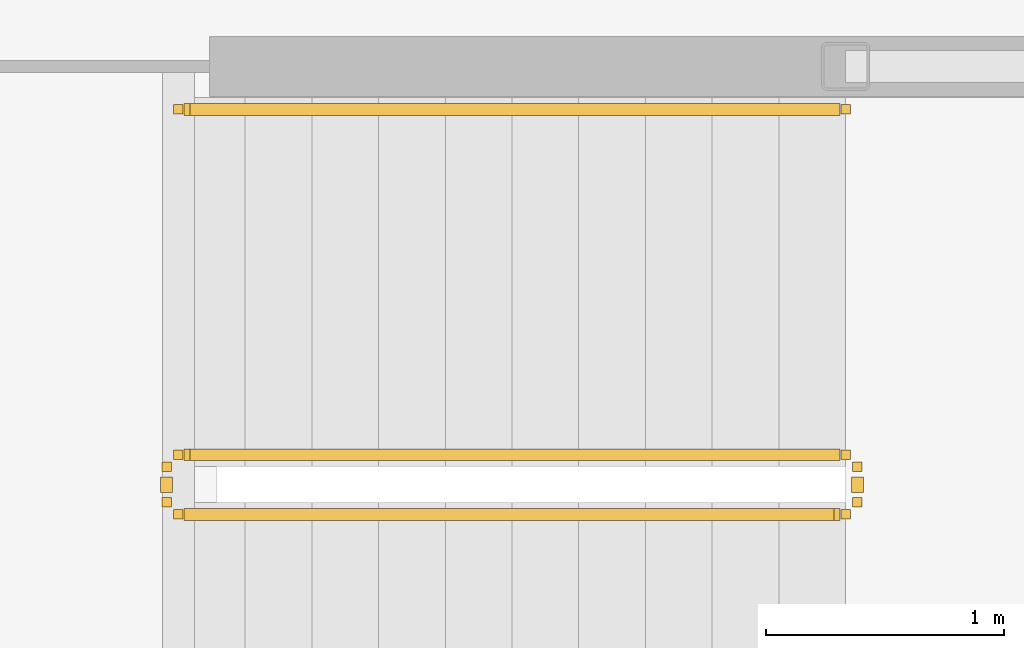
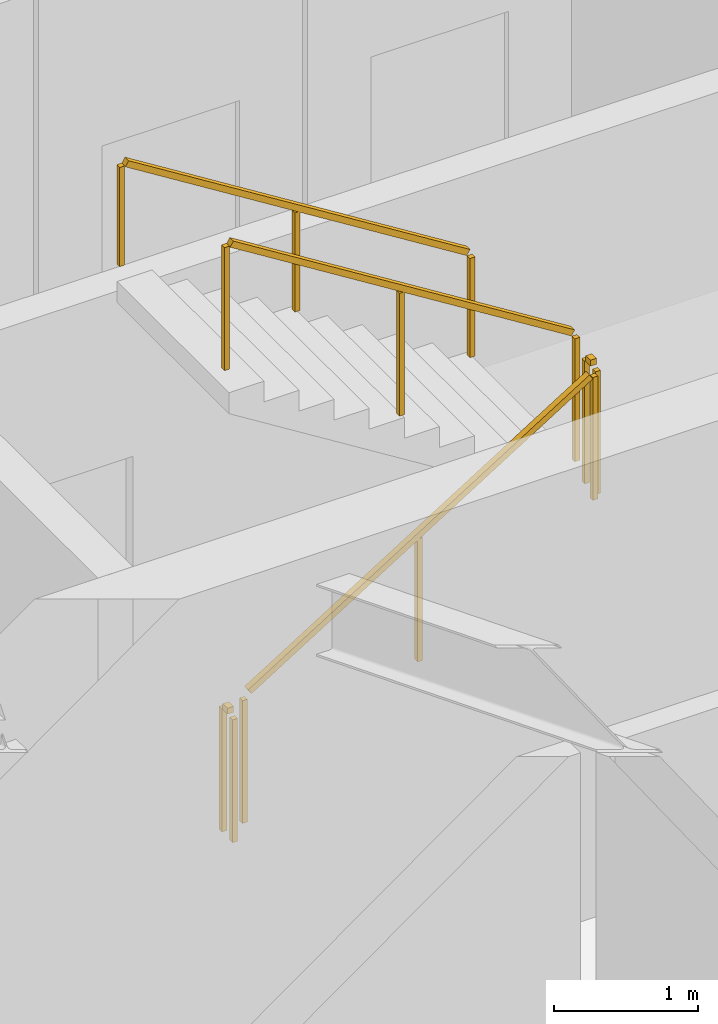
# One storey, part 27 of 30: 5 railings.
"""IFC4 building model written with IfcOpenShell, lengths in metres."""

from ifc_helpers import new_model, si_unit, direction, frame, origin, origin_2d, place, context, subcontext, project, spatial, rectangle, extrude, material, type_object, element, save


model = new_model("IFC4")

# Units and contexts
model_context = context("Model", 3, precision=1e-05, world=origin(), true_north=direction((0.0, 1.0)))
body_context = subcontext(model_context, "Body", "Model", "MODEL_VIEW")
ifc_project = project(units=[si_unit("LENGTHUNIT", "METRE"), si_unit("AREAUNIT", "SQUARE_METRE"), si_unit("VOLUMEUNIT", "CUBIC_METRE"), si_unit("PLANEANGLEUNIT", "RADIAN"), si_unit("MASSUNIT", "GRAM", prefix="KILO")], contexts=[model_context])

# Site, building, storey
site_placement = place(None, origin())
site = spatial("IfcSite", under=ifc_project, at=site_placement, CompositionType="ELEMENT")
building_placement = place(site_placement, origin())
building = spatial("IfcBuilding", under=site, at=building_placement, Name="Kazma Halo Residences", CompositionType="ELEMENT")
storey_placement = place(building_placement, frame((0.0, 0.0, 294.449951171875)))
storey = spatial("IfcBuildingStorey", under=building, at=storey_placement, Name="L74", CompositionType="ELEMENT", Elevation=294.449951171875)

# Railings
ifc_material_1 = material(Name="Painted Steel S355", Category="steel")
railing_type_1 = type_object("IfcRailingType", Name="RLG-STAIR-GRD-1100", PredefinedType="GUARDRAIL", material=ifc_material_1)
railing_1_placement = place(storey_placement, frame((53.199951171875, 35.5, 0.175048828125)))
element("IfcRailing", 1, at=railing_1_placement, inside=storey, type_object=railing_type_1, Name="L74 ST-03 stair guard 1", PredefinedType="GUARDRAIL", context=body_context, shape_type="SweptSolid", body=[
    extrude(rectangle(XDim=0.050048828125, YDim=0.050048828125, at=origin_2d()), frame((0.0361328125, 0.0, 1.09765625), z_axis=(0.848002457836, 0.0, 0.529992293815), x_axis=(0.0, 1.0, 0.0)), (0.0, 0.0, 1.0), 3.216796875),
    extrude(rectangle(XDim=0.0400390625, YDim=0.0400390625, at=origin_2d()), origin(), (0.0, 0.0, 1.0), 1.0380859375),
    extrude(rectangle(XDim=0.0400390625, YDim=0.0400390625, at=origin_2d()), frame((1.39990234375, 0.0, 0.875)), (0.0, 0.0, 1.0), 1.0380859375),
    extrude(rectangle(XDim=0.0400390625, YDim=0.0400390625, at=origin_2d()), frame((2.800048828125, 0.0, 1.75)), (0.0, 0.0, 1.0), 1.0380859375),
])
railing_2_placement = place(storey_placement, frame((56.050048828125, 35.550048828125, 1.925048828125)))
element("IfcRailing", 2, at=railing_2_placement, inside=storey, type_object=railing_type_1, Name="L74 ST-03 stair guard 2", PredefinedType="GUARDRAIL", context=body_context, shape_type="SweptSolid", body=[
    extrude(rectangle(XDim=0.050048828125, YDim=0.050048828125, at=origin_2d()), frame((0.0, 0.04248046875, 1.0751953125), z_axis=(0.0, 1.0, 0.0), x_axis=(-1.0, 0.0, 0.0)), (0.0, 0.0, 1.0), 0.06494140625),
    extrude(rectangle(XDim=0.0400390625, YDim=0.0400390625, at=origin_2d()), origin(), (0.0, 0.0, 1.0), 1.0380859375),
    extrude(rectangle(XDim=0.0400390625, YDim=0.0400390625, at=origin_2d()), frame((0.0, 0.14990234375, 0.0)), (0.0, 0.0, 1.0), 1.0380859375),
])
railing_3_placement = place(storey_placement, frame((56.0, 35.75, 2.10009765625)))
element("IfcRailing", 3, at=railing_3_placement, inside=storey, type_object=railing_type_1, Name="L74 ST-03 stair guard 3", PredefinedType="GUARDRAIL", context=body_context, shape_type="SweptSolid", body=[
    extrude(rectangle(XDim=0.050048828125, YDim=0.050048828125, at=origin_2d()), frame((-0.0361328125, 0.0, 1.09765625), z_axis=(-0.848002457836, 0.0, 0.529992293815), x_axis=(0.0, -1.0, 0.0)), (0.0, 0.0, 1.0), 3.216796875),
    extrude(rectangle(XDim=0.0400390625, YDim=0.0400390625, at=origin_2d()), origin(), (0.0, 0.0, 1.0), 1.0380859375),
    extrude(rectangle(XDim=0.0400390625, YDim=0.0400390625, at=origin_2d()), frame((-1.39990234375, 0.0, 0.875)), (0.0, 0.0, 1.0), 1.0380859375),
    extrude(rectangle(XDim=0.0400390625, YDim=0.0400390625, at=origin_2d()), frame((-2.800048828125, 0.0, 1.75)), (0.0, 0.0, 1.0), 1.0380859375),
])
railing_4_placement = place(storey_placement, frame((53.14990234375, 35.550048828125, 0.0)))
element("IfcRailing", 4, at=railing_4_placement, inside=storey, type_object=railing_type_1, Name="L74 ST-03 stair guard 4", PredefinedType="GUARDRAIL", context=body_context, shape_type="SweptSolid", body=[
    extrude(rectangle(XDim=0.050048828125, YDim=0.050048828125, at=origin_2d()), frame((0.0, 0.04248046875, 1.0751953125), z_axis=(0.0, 1.0, 0.0), x_axis=(-1.0, 0.0, 0.0)), (0.0, 0.0, 1.0), 0.06494140625),
    extrude(rectangle(XDim=0.0400390625, YDim=0.0400390625, at=origin_2d()), origin(), (0.0, 0.0, 1.0), 1.0380859375),
    extrude(rectangle(XDim=0.0400390625, YDim=0.0400390625, at=origin_2d()), frame((0.0, 0.14990234375, 0.0)), (0.0, 0.0, 1.0), 1.0380859375),
])
ifc_material_2 = material(Name="Brushed Stainless Steel", Category="steel")
railing_type_2 = type_object("IfcRailingType", Name="RLG-STAIR-HND-900", PredefinedType="HANDRAIL", material=ifc_material_2)
railing_5_placement = place(storey_placement, frame((56.0, 37.199951171875, 2.10009765625)))
element("IfcRailing", 5, at=railing_5_placement, inside=storey, type_object=railing_type_2, Name="L74 ST-03 stair handrail 2", PredefinedType="HANDRAIL", context=body_context, shape_type="SweptSolid", body=[
    extrude(rectangle(XDim=0.050048828125, YDim=0.050048828125, at=origin_2d()), frame((-0.0361328125, 0.0, 0.8974609375), z_axis=(-0.848002457836, 0.0, 0.529992293815), x_axis=(0.0, -1.0, 0.0)), (0.0, 0.0, 1.0), 3.216796875),
    extrude(rectangle(XDim=0.0400390625, YDim=0.0400390625, at=origin_2d()), origin(), (0.0, 0.0, 1.0), 0.837890625),
    extrude(rectangle(XDim=0.0400390625, YDim=0.0400390625, at=origin_2d()), frame((-1.39990234375, 0.0, 0.875)), (0.0, 0.0, 1.0), 0.837890625),
    extrude(rectangle(XDim=0.0400390625, YDim=0.0400390625, at=origin_2d()), frame((-2.800048828125, 0.0, 1.75)), (0.0, 0.0, 1.0), 0.837890625),
])

save(model, "model.ifc")
